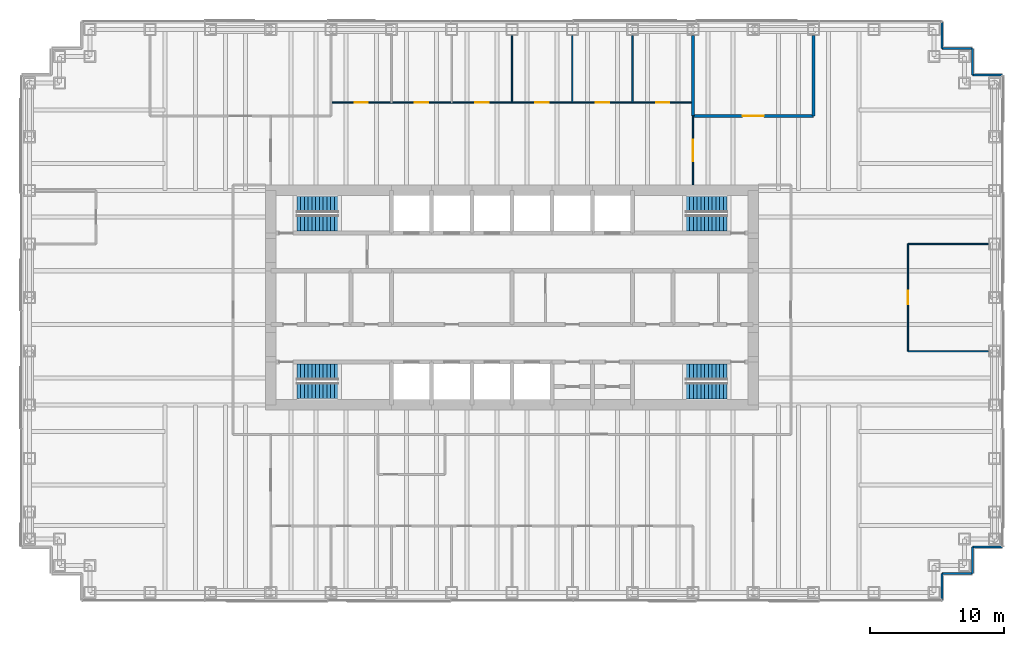
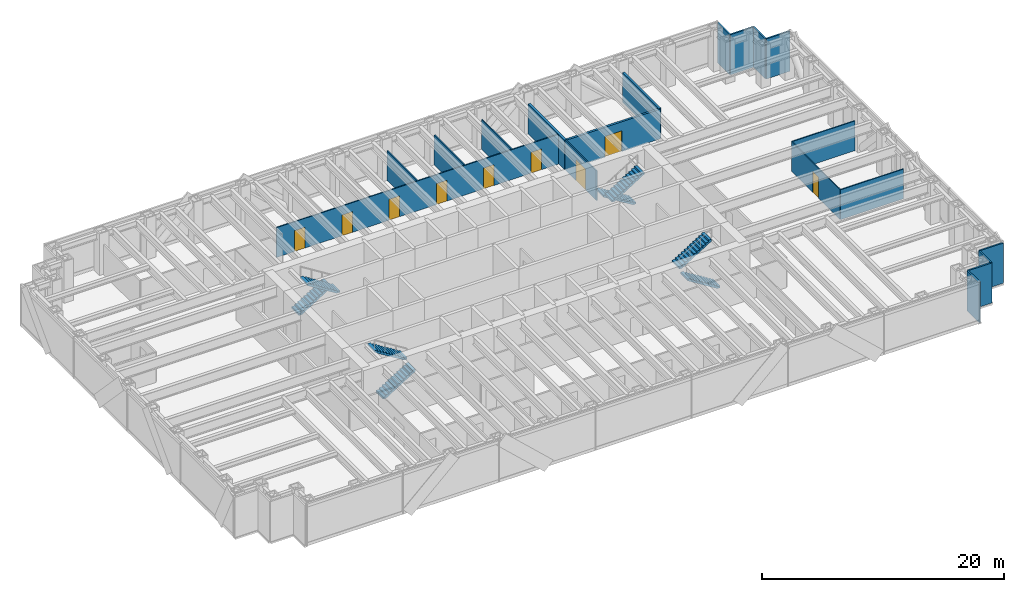
# One storey, part 13 of 14: 19 walls, 9 doors, 8 stair flights, 9 openings, 4 elements without a shape of their own.
"""IFC4 building model written with IfcOpenShell, lengths in metres."""

from ifc_helpers import new_model, si_unit, direction, frame, frame_2d, origin, place, context, subcontext, project, spatial, polyline, rectangle, outline, extrude, material, layer, layer_set, type_object, element, fill, aggregate, save


model = new_model("IFC4")

# Units and contexts
model_context = context("Model", 3, precision=1e-05, world=origin(), true_north=direction((0.0, 1.0)))
body_context = subcontext(model_context, "Body", "Model", "MODEL_VIEW")
ifc_project = project(units=[si_unit("LENGTHUNIT", "METRE"), si_unit("AREAUNIT", "SQUARE_METRE"), si_unit("VOLUMEUNIT", "CUBIC_METRE"), si_unit("PLANEANGLEUNIT", "RADIAN"), si_unit("MASSUNIT", "GRAM", prefix="KILO")], contexts=[model_context])

# Site, building, storey
site_placement = place(None, origin())
site = spatial("IfcSite", under=ifc_project, at=site_placement, CompositionType="ELEMENT")
building_placement = place(site_placement, origin())
building = spatial("IfcBuilding", under=site, at=building_placement, Name="Rheinbord Bourse Tower", CompositionType="ELEMENT")
storey_placement = place(building_placement, frame((0.0, 0.0, 194.199951171875)))
storey = spatial("IfcBuildingStorey", under=building, at=storey_placement, Name="L43", CompositionType="ELEMENT", Elevation=194.199951171875)

# Wall, opening, door
ifc_material_1 = material(Name="Acoustic gypsum board partition", Category="gypsum board")
ifc_layer_1 = layer(ifc_material_1, 0.199951171875)
ifc_layer_set_1 = layer_set([ifc_layer_1], Name="ACOUSTIC PARTITION 200")
wall_type_1 = type_object("IfcWallType", Name="ACOUSTIC PARTITION 200", PredefinedType="PARTITIONING", material=ifc_layer_set_1)
wall_1_placement = place(storey_placement, frame((49.5, 37.550048828125, 0.0), z_axis=(0.0, 0.0, 1.0), x_axis=(1.0, 0.0, 0.0)))
wall_1 = element("IfcWall", 1, at=wall_1_placement, inside=storey, type_object=wall_type_1, Name="Partition L43-13", PredefinedType="PARTITIONING", context=body_context, shape_type="SweptSolid", body=[
    extrude(rectangle(XDim=9.0, YDim=0.199951171875, at=frame_2d((4.5, 0.0))), origin(), (0.0, 0.0, 1.0), 3.0),
])
opening_1_placement = place(wall_1_placement, frame((3.699951171875, 0.0, 0.0)))
opening_1 = element("IfcOpeningElement", 2, at=opening_1_placement, cuts=wall_1, Name="Opening 43D11", PredefinedType="OPENING", context=body_context, shape_type="SweptSolid", body=[
    extrude(rectangle(XDim=1.60009765625, YDim=2.10009765625, at=frame_2d((0.800048828125, 1.050048828125))), frame((0.0, 0.10986328125, 0.0), z_axis=(0.0, -1.0, 0.0), x_axis=(1.0, 0.0, 0.0)), (0.0, 0.0, 1.0), 0.219970703125),
])
ifc_material_2 = material(Name="Timber door", Category="wood")
door_type_1 = type_object("IfcDoorType", Name="DOUBLE ROOM DOOR 1600", OperationType="DOUBLE_DOOR_DOUBLE_SWING", PredefinedType="DOOR", material=ifc_material_2)
door_1_placement = place(opening_1_placement, origin())
door_1 = element("IfcDoor", 3, at=door_1_placement, inside=storey, type_object=door_type_1, Name="Video conference room door L43", OperationType="SINGLE_SWING_LEFT", OverallHeight=2.10009765625, OverallWidth=1.60009765625, PredefinedType="DOOR", context=body_context, shape_type="SweptSolid", body=[
    extrude(rectangle(XDim=1.60009765625, YDim=2.10009765625, at=frame_2d((0.800048828125, 1.050048828125))), frame((0.0, 0.02490234375, 0.0), z_axis=(0.0, -1.0, 0.0), x_axis=(1.0, 0.0, 0.0)), (0.0, 0.0, 1.0), 0.050048828125),
])
fill(opening_1, door_1)

# Walls
for number, where, z_axis, x_axis, name in (
    (4, (49.5, 37.550048828125, 0.0), (0.0, 0.0, 1.0), (0.0, 1.0, 0.0), "Partition L43-37"),
    (5, (58.5, 37.550048828125, 0.0), (0.0, 0.0, 1.0), (0.0, 1.0, 0.0), "Partition L43-40"),
):
    element("IfcWall", number, at=place(storey_placement, frame(where, z_axis=z_axis, x_axis=x_axis)), inside=storey, type_object=wall_type_1, Name=name, PredefinedType="PARTITIONING", context=body_context, shape_type="SweptSolid", body=[
        extrude(rectangle(XDim=6.0, YDim=0.199951171875, at=frame_2d((3.0, 0.0))), origin(), (0.0, 0.0, 1.0), 3.0),
    ])
ifc_material_3 = material(Name="Black metal rainscreen panel", Category="aluminium")
ifc_layer_2 = layer(ifc_material_3, 0.14990234375)
ifc_layer_set_2 = layer_set([ifc_layer_2], Name="CORNER PIER CLADDING 150")
wall_type_2 = type_object("IfcWallType", Name="CORNER PIER CLADDING 150", PredefinedType="ELEMENTEDWALL", material=ifc_layer_set_2)
wall_2_placement = place(storey_placement, frame((68.10009765625, 1.39990234375, 0.0), z_axis=(0.0, 0.0, 1.0), x_axis=(0.0, 1.0, 0.0)))
element("IfcWall", 6, at=wall_2_placement, inside=storey, type_object=wall_type_2, Name="Corner pier cladding L43 2", PredefinedType="ELEMENTEDWALL", context=body_context, shape_type="SweptSolid", body=[
    extrude(rectangle(XDim=2.0, YDim=0.14990234375, at=frame_2d((1.0, 0.0))), origin(), (0.0, 0.0, 1.0), 4.0400390625),
])
wall_3_placement = place(storey_placement, frame((68.10009765625, 3.39990234375, 0.0), z_axis=(0.0, 0.0, 1.0), x_axis=(1.0, 0.0, 0.0)))
element("IfcWall", 7, at=wall_3_placement, inside=storey, type_object=wall_type_2, Name="Corner pier cladding L43 3", PredefinedType="ELEMENTEDWALL", context=body_context, shape_type="SweptSolid", body=[
    extrude(rectangle(XDim=2.25, YDim=0.14990234375, at=frame_2d((1.125, 0.0))), origin(), (0.0, 0.0, 1.0), 4.0400390625),
])
wall_4_placement = place(storey_placement, frame((70.35009765625, 3.39990234375, 0.0), z_axis=(0.0, 0.0, 1.0), x_axis=(0.0, 1.0, 0.0)))
element("IfcWall", 8, at=wall_4_placement, inside=storey, type_object=wall_type_2, Name="Corner pier cladding L43 4", PredefinedType="ELEMENTEDWALL", context=body_context, shape_type="SweptSolid", body=[
    extrude(rectangle(XDim=2.0, YDim=0.14990234375, at=frame_2d((1.0, 0.0))), origin(), (0.0, 0.0, 1.0), 4.0400390625),
])
for number, where, z_axis, x_axis, name in (
    (9, (70.35009765625, 5.39990234375, 0.0), (0.0, 0.0, 1.0), (1.0, 0.0, 0.0), "Corner pier cladding L43 5"),
    (10, (72.60009765625, 40.60009765625, 0.0), (0.0, 0.0, 1.0), (-1.0, 0.0, 0.0), "Corner pier cladding L43 7"),
):
    element("IfcWall", number, at=place(storey_placement, frame(where, z_axis=z_axis, x_axis=x_axis)), inside=storey, type_object=wall_type_2, Name=name, PredefinedType="ELEMENTEDWALL", context=body_context, shape_type="SweptSolid", body=[
        extrude(rectangle(XDim=2.25, YDim=0.14990234375, at=frame_2d((1.125, 0.0))), origin(), (0.0, 0.0, 1.0), 4.0400390625),
    ])
wall_5_placement = place(storey_placement, frame((70.35009765625, 40.60009765625, 0.0), z_axis=(0.0, 0.0, 1.0), x_axis=(0.0, 1.0, 0.0)))
element("IfcWall", 11, at=wall_5_placement, inside=storey, type_object=wall_type_2, Name="Corner pier cladding L43 8", PredefinedType="ELEMENTEDWALL", context=body_context, shape_type="SweptSolid", body=[
    extrude(rectangle(XDim=2.0, YDim=0.14990234375, at=frame_2d((1.0, 0.0))), origin(), (0.0, 0.0, 1.0), 4.0400390625),
])
wall_6_placement = place(storey_placement, frame((70.35009765625, 42.60009765625, 0.0), z_axis=(0.0, 0.0, 1.0), x_axis=(-1.0, 0.0, 0.0)))
element("IfcWall", 12, at=wall_6_placement, inside=storey, type_object=wall_type_2, Name="Corner pier cladding L43 9", PredefinedType="ELEMENTEDWALL", context=body_context, shape_type="SweptSolid", body=[
    extrude(rectangle(XDim=2.25, YDim=0.14990234375, at=frame_2d((1.125, 0.0))), origin(), (0.0, 0.0, 1.0), 4.0400390625),
])
wall_7_placement = place(storey_placement, frame((68.10009765625, 42.60009765625, 0.0), z_axis=(0.0, 0.0, 1.0), x_axis=(0.0, 1.0, 0.0)))
element("IfcWall", 13, at=wall_7_placement, inside=storey, type_object=wall_type_2, Name="Corner pier cladding L43 10", PredefinedType="ELEMENTEDWALL", context=body_context, shape_type="SweptSolid", body=[
    extrude(rectangle(XDim=2.0, YDim=0.14990234375, at=frame_2d((1.0, 0.0))), origin(), (0.0, 0.0, 1.0), 4.0400390625),
])
ifc_material_4 = material(Name="Toughened laminated glass partition", Category="glass")
ifc_layer_3 = layer(ifc_material_4, 0.10009765625)
ifc_layer_set_3 = layer_set([ifc_layer_3], Name="GLAZED PARTITION 100")
wall_type_3 = type_object("IfcWallType", Name="GLAZED PARTITION 100", PredefinedType="PARTITIONING", material=ifc_layer_set_3)
for number, where, z_axis, x_axis, name in (
    (14, (65.550048828125, 20.0, 0.0), (0.0, 0.0, 1.0), (1.0, 0.0, 0.0), "Partition L43-06"),
    (15, (65.550048828125, 28.0, 0.0), (0.0, 0.0, 1.0), (1.0, 0.0, 0.0), "Partition L43-08"),
):
    element("IfcWall", number, at=place(storey_placement, frame(where, z_axis=z_axis, x_axis=x_axis)), inside=storey, type_object=wall_type_3, Name=name, PredefinedType="PARTITIONING", context=body_context, shape_type="SweptSolid", body=[
        extrude(rectangle(XDim=6.0, YDim=0.10009765625, at=frame_2d((3.0, 0.0))), origin(), (0.0, 0.0, 1.0), 3.0),
    ])

# Wall, openings, doors
wall_8_placement = place(storey_placement, frame((22.5, 38.550048828125, 0.0), z_axis=(0.0, 0.0, 1.0), x_axis=(1.0, 0.0, 0.0)))
wall_8 = element("IfcWall", 16, at=wall_8_placement, inside=storey, type_object=wall_type_3, Name="Partition L43-14", PredefinedType="PARTITIONING", context=body_context, shape_type="SweptSolid", body=[
    extrude(rectangle(XDim=27.0, YDim=0.10009765625, at=frame_2d((13.5, 0.0))), origin(), (0.0, 0.0, 1.0), 3.0),
])
opening_2_placement = place(wall_8_placement, frame((1.75, 0.0, 0.0)))
opening_2 = element("IfcOpeningElement", 17, at=opening_2_placement, cuts=wall_8, Name="Opening 43D13", PredefinedType="OPENING", context=body_context, shape_type="SweptSolid", body=[
    extrude(rectangle(XDim=1.0, YDim=2.10009765625, at=frame_2d((0.5, 1.050048828125))), frame((0.0, 0.06005859375, 0.0), z_axis=(0.0, -1.0, 0.0), x_axis=(1.0, 0.0, 0.0)), (0.0, 0.0, 1.0), 0.1201171875),
])
opening_3_placement = place(wall_8_placement, frame((6.25, 0.0, 0.0)))
opening_3 = element("IfcOpeningElement", 18, at=opening_3_placement, cuts=wall_8, Name="Opening 43D14", PredefinedType="OPENING", context=body_context, shape_type="SweptSolid", body=[
    extrude(rectangle(XDim=1.0, YDim=2.10009765625, at=frame_2d((0.5, 1.050048828125))), frame((0.0, 0.06005859375, 0.0), z_axis=(0.0, -1.0, 0.0), x_axis=(1.0, 0.0, 0.0)), (0.0, 0.0, 1.0), 0.1201171875),
])
opening_4_placement = place(wall_8_placement, frame((10.75, 0.0, 0.0)))
opening_4 = element("IfcOpeningElement", 19, at=opening_4_placement, cuts=wall_8, Name="Opening 43D15", PredefinedType="OPENING", context=body_context, shape_type="SweptSolid", body=[
    extrude(rectangle(XDim=1.0, YDim=2.10009765625, at=frame_2d((0.5, 1.050048828125))), frame((0.0, 0.06005859375, 0.0), z_axis=(0.0, -1.0, 0.0), x_axis=(1.0, 0.0, 0.0)), (0.0, 0.0, 1.0), 0.1201171875),
])
opening_5_placement = place(wall_8_placement, frame((15.25, 0.0, 0.0)))
opening_5 = element("IfcOpeningElement", 20, at=opening_5_placement, cuts=wall_8, Name="Opening 43D16", PredefinedType="OPENING", context=body_context, shape_type="SweptSolid", body=[
    extrude(rectangle(XDim=1.0, YDim=2.10009765625, at=frame_2d((0.5, 1.050048828125))), frame((0.0, 0.06005859375, 0.0), z_axis=(0.0, -1.0, 0.0), x_axis=(1.0, 0.0, 0.0)), (0.0, 0.0, 1.0), 0.1201171875),
])
opening_6_placement = place(wall_8_placement, frame((19.75, 0.0, 0.0)))
opening_6 = element("IfcOpeningElement", 21, at=opening_6_placement, cuts=wall_8, Name="Opening 43D17", PredefinedType="OPENING", context=body_context, shape_type="SweptSolid", body=[
    extrude(rectangle(XDim=1.0, YDim=2.10009765625, at=frame_2d((0.5, 1.050048828125))), frame((0.0, 0.06005859375, 0.0), z_axis=(0.0, -1.0, 0.0), x_axis=(1.0, 0.0, 0.0)), (0.0, 0.0, 1.0), 0.1201171875),
])
opening_7_placement = place(wall_8_placement, frame((24.25, 0.0, 0.0)))
opening_7 = element("IfcOpeningElement", 22, at=opening_7_placement, cuts=wall_8, Name="Opening 43D18", PredefinedType="OPENING", context=body_context, shape_type="SweptSolid", body=[
    extrude(rectangle(XDim=1.0, YDim=2.10009765625, at=frame_2d((0.5, 1.050048828125))), frame((0.0, 0.06005859375, 0.0), z_axis=(0.0, -1.0, 0.0), x_axis=(1.0, 0.0, 0.0)), (0.0, 0.0, 1.0), 0.1201171875),
])
ifc_material_5 = material(Name="Timber door", Category="wood")
door_type_2 = type_object("IfcDoorType", Name="ROOM DOOR 1000", OperationType="SINGLE_SWING_LEFT", PredefinedType="DOOR", material=ifc_material_5)
door_2_placement = place(opening_2_placement, origin())
door_2 = element("IfcDoor", 23, at=door_2_placement, inside=storey, type_object=door_type_2, Name="Client meeting room door L43", OperationType="SINGLE_SWING_LEFT", OverallHeight=2.10009765625, OverallWidth=1.0, PredefinedType="DOOR", context=body_context, shape_type="SweptSolid", body=[
    extrude(rectangle(XDim=1.0, YDim=2.10009765625, at=frame_2d((0.5, 1.050048828125))), frame((0.0, 0.02490234375, 0.0), z_axis=(0.0, -1.0, 0.0), x_axis=(1.0, 0.0, 0.0)), (0.0, 0.0, 1.0), 0.050048828125),
])
fill(opening_2, door_2)
door_3_placement = place(opening_3_placement, origin())
door_3 = element("IfcDoor", 24, at=door_3_placement, inside=storey, type_object=door_type_2, Name="Client meeting room door L43", OperationType="SINGLE_SWING_LEFT", OverallHeight=2.10009765625, OverallWidth=1.0, PredefinedType="DOOR", context=body_context, shape_type="SweptSolid", body=[
    extrude(rectangle(XDim=1.0, YDim=2.10009765625, at=frame_2d((0.5, 1.050048828125))), frame((0.0, 0.02490234375, 0.0), z_axis=(0.0, -1.0, 0.0), x_axis=(1.0, 0.0, 0.0)), (0.0, 0.0, 1.0), 0.050048828125),
])
fill(opening_3, door_3)
door_4_placement = place(opening_4_placement, origin())
door_4 = element("IfcDoor", 25, at=door_4_placement, inside=storey, type_object=door_type_2, Name="Client meeting room door L43", OperationType="SINGLE_SWING_LEFT", OverallHeight=2.10009765625, OverallWidth=1.0, PredefinedType="DOOR", context=body_context, shape_type="SweptSolid", body=[
    extrude(rectangle(XDim=1.0, YDim=2.10009765625, at=frame_2d((0.5, 1.050048828125))), frame((0.0, 0.02490234375, 0.0), z_axis=(0.0, -1.0, 0.0), x_axis=(1.0, 0.0, 0.0)), (0.0, 0.0, 1.0), 0.050048828125),
])
fill(opening_4, door_4)
door_5_placement = place(opening_5_placement, origin())
door_5 = element("IfcDoor", 26, at=door_5_placement, inside=storey, type_object=door_type_2, Name="Client meeting room door L43", OperationType="SINGLE_SWING_RIGHT", OverallHeight=2.10009765625, OverallWidth=1.0, PredefinedType="DOOR", context=body_context, shape_type="SweptSolid", body=[
    extrude(rectangle(XDim=1.0, YDim=2.10009765625, at=frame_2d((0.5, 1.050048828125))), frame((0.0, 0.02490234375, 0.0), z_axis=(0.0, -1.0, 0.0), x_axis=(1.0, 0.0, 0.0)), (0.0, 0.0, 1.0), 0.050048828125),
])
fill(opening_5, door_5)
door_6_placement = place(opening_6_placement, origin())
door_6 = element("IfcDoor", 27, at=door_6_placement, inside=storey, type_object=door_type_2, Name="Client meeting room door L43", OperationType="SINGLE_SWING_RIGHT", OverallHeight=2.10009765625, OverallWidth=1.0, PredefinedType="DOOR", context=body_context, shape_type="SweptSolid", body=[
    extrude(rectangle(XDim=1.0, YDim=2.10009765625, at=frame_2d((0.5, 1.050048828125))), frame((0.0, 0.02490234375, 0.0), z_axis=(0.0, -1.0, 0.0), x_axis=(1.0, 0.0, 0.0)), (0.0, 0.0, 1.0), 0.050048828125),
])
fill(opening_6, door_6)
door_7_placement = place(opening_7_placement, origin())
door_7 = element("IfcDoor", 28, at=door_7_placement, inside=storey, type_object=door_type_2, Name="Client meeting room door L43", OperationType="SINGLE_SWING_RIGHT", OverallHeight=2.10009765625, OverallWidth=1.0, PredefinedType="DOOR", context=body_context, shape_type="SweptSolid", body=[
    extrude(rectangle(XDim=1.0, YDim=2.10009765625, at=frame_2d((0.5, 1.050048828125))), frame((0.0, 0.02490234375, 0.0), z_axis=(0.0, -1.0, 0.0), x_axis=(1.0, 0.0, 0.0)), (0.0, 0.0, 1.0), 0.050048828125),
])
fill(opening_7, door_7)

# Walls
for number, where, z_axis, x_axis, name in (
    (29, (36.0, 38.550048828125, 0.0), (0.0, 0.0, 1.0), (0.0, 1.0, 0.0), "Partition L43-30"),
    (30, (40.5, 38.550048828125, 0.0), (0.0, 0.0, 1.0), (0.0, 1.0, 0.0), "Partition L43-32"),
    (31, (45.0, 38.550048828125, 0.0), (0.0, 0.0, 1.0), (0.0, 1.0, 0.0), "Partition L43-34"),
):
    element("IfcWall", number, at=place(storey_placement, frame(where, z_axis=z_axis, x_axis=x_axis)), inside=storey, type_object=wall_type_3, Name=name, PredefinedType="PARTITIONING", context=body_context, shape_type="SweptSolid", body=[
        extrude(rectangle(XDim=5.0, YDim=0.10009765625, at=frame_2d((2.5, 0.0))), origin(), (0.0, 0.0, 1.0), 3.0),
    ])

# Wall, opening, door
wall_9_placement = place(storey_placement, frame((49.5, 32.39990234375, 0.0), z_axis=(0.0, 0.0, 1.0), x_axis=(0.0, 1.0, 0.0)))
wall_9 = element("IfcWall", 32, at=wall_9_placement, inside=storey, type_object=wall_type_3, Name="Partition L43-36", PredefinedType="PARTITIONING", context=body_context, shape_type="SweptSolid", body=[
    extrude(rectangle(XDim=5.150146484375, YDim=0.10009765625, at=frame_2d((2.5751953125, 0.0))), origin(), (0.0, 0.0, 1.0), 3.0),
])
opening_8_placement = place(wall_9_placement, frame((1.77490234375, 0.0, 0.0)))
opening_8 = element("IfcOpeningElement", 33, at=opening_8_placement, cuts=wall_9, Name="Opening 43D22", PredefinedType="OPENING", context=body_context, shape_type="SweptSolid", body=[
    extrude(rectangle(XDim=1.60009765625, YDim=2.10009765625, at=frame_2d((0.800048828125, 1.050048828125))), frame((0.0, 0.06005859375, 0.0), z_axis=(0.0, -1.0, 0.0), x_axis=(1.0, 0.0, 0.0)), (0.0, 0.0, 1.0), 0.1201171875),
])
door_8_placement = place(opening_8_placement, origin())
door_8 = element("IfcDoor", 34, at=door_8_placement, inside=storey, type_object=door_type_1, Name="Open area door L43", OperationType="SINGLE_SWING_LEFT", OverallHeight=2.10009765625, OverallWidth=1.60009765625, PredefinedType="DOOR", context=body_context, shape_type="SweptSolid", body=[
    extrude(rectangle(XDim=1.60009765625, YDim=2.10009765625, at=frame_2d((0.800048828125, 1.050048828125))), frame((0.0, 0.02490234375, 0.0), z_axis=(0.0, -1.0, 0.0), x_axis=(1.0, 0.0, 0.0)), (0.0, 0.0, 1.0), 0.050048828125),
])
fill(opening_8, door_8)

wall_10_placement = place(storey_placement, frame((65.550048828125, 20.0, 0.0), z_axis=(0.0, 0.0, 1.0), x_axis=(0.0, 1.0, 0.0)))
wall_10 = element("IfcWall", 35, at=wall_10_placement, inside=storey, type_object=wall_type_3, Name="Partition L43-41", PredefinedType="PARTITIONING", context=body_context, shape_type="SweptSolid", body=[
    extrude(rectangle(XDim=8.0, YDim=0.10009765625, at=frame_2d((4.0, 0.0))), origin(), (0.0, 0.0, 1.0), 3.0),
])
opening_9_placement = place(wall_10_placement, frame((3.5, 0.0, 0.0)))
opening_9 = element("IfcOpeningElement", 36, at=opening_9_placement, cuts=wall_10, Name="Opening 43D09", PredefinedType="OPENING", context=body_context, shape_type="SweptSolid", body=[
    extrude(rectangle(XDim=1.0, YDim=2.10009765625, at=frame_2d((0.5, 1.050048828125))), frame((0.0, 0.06005859375, 0.0), z_axis=(0.0, -1.0, 0.0), x_axis=(1.0, 0.0, 0.0)), (0.0, 0.0, 1.0), 0.1201171875),
])
door_9_placement = place(opening_9_placement, origin())
door_9 = element("IfcDoor", 37, at=door_9_placement, inside=storey, type_object=door_type_2, Name="Meeting room door L43", OperationType="SINGLE_SWING_LEFT", OverallHeight=2.10009765625, OverallWidth=1.0, PredefinedType="DOOR", context=body_context, shape_type="SweptSolid", body=[
    extrude(rectangle(XDim=1.0, YDim=2.10009765625, at=frame_2d((0.5, 1.050048828125))), frame((0.0, 0.02490234375, 0.0), z_axis=(0.0, -1.0, 0.0), x_axis=(1.0, 0.0, 0.0)), (0.0, 0.0, 1.0), 0.050048828125),
])
fill(opening_9, door_9)

# Stair, stair flights
ifc_material_6 = material(Name="Concrete C30/37", Category="concrete")
stair_type = type_object("IfcStairType", Name="CORE STAIR HALF TURN 4200", PredefinedType="HALF_TURN_STAIR", material=ifc_material_6)
stair_1_placement = place(storey_placement, origin())
stair_1 = element("IfcStair", 38, at=stair_1_placement, inside=storey, type_object=stair_type, Name="Stair ST1 L43, type CS6", PredefinedType="HALF_TURN_STAIR")
ifc_material_7 = material(Name="Concrete C30/37", Category="concrete")
stair_flight_type = type_object("IfcStairFlightType", Name="CORE STAIR FLIGHT 1200, 12 RISERS", PredefinedType="STRAIGHT", material=ifc_material_7)
stair_flight_1_placement = place(storey_placement, frame((19.949951171875, 17.050048828125, 0.0), z_axis=(0.0, 0.0, 1.0), x_axis=(1.0, 0.0, 0.0)))
stair_flight_1 = element("IfcStairFlight", 39, at=stair_flight_1_placement, type_object=stair_flight_type, Name="STAIR L43 ST1 F1", NumberOfRisers=12, NumberOfTreads=11, PredefinedType="STRAIGHT", RiserHeight=0.175, TreadLength=0.28, context=body_context, shape_type="SweptSolid", body=[
    extrude(outline(polyline([(0.0, 0.0), (0.0, 0.175048828125), (0.280029296875, 0.175048828125), (0.280029296875, 0.35009765625), (0.56005859375, 0.35009765625), (0.56005859375, 0.52490234375), (0.840087890625, 0.52490234375), (0.840087890625, 0.699951171875), (1.1201171875, 0.699951171875), (1.1201171875, 0.875), (1.39990234375, 0.875), (1.39990234375, 1.050048828125), (1.679931640625, 1.050048828125), (1.679931640625, 1.22509765625), (1.9599609375, 1.22509765625), (1.9599609375, 1.39990234375), (2.239990234375, 1.39990234375), (2.239990234375, 1.574951171875), (2.52001953125, 1.574951171875), (2.52001953125, 1.75), (2.800048828125, 1.75), (2.800048828125, 1.925048828125), (3.080078125, 1.925048828125), (3.080078125, 2.10009765625), (3.080078125, 1.748291015625), (0.28271484375, 0.0), (0.0, 0.0)])), frame((0.0, 0.60009765625, 0.0), z_axis=(0.0, -1.0, 0.0), x_axis=(1.0, 0.0, 0.0)), (0.0, 0.0, 1.0), 1.199951171875),
])
stair_flight_2_placement = place(storey_placement, frame((23.030029296875, 18.449951171875, 2.10009765625), z_axis=(0.0, 0.0, 1.0), x_axis=(-1.0, 0.0, 0.0)))
stair_flight_2 = element("IfcStairFlight", 40, at=stair_flight_2_placement, type_object=stair_flight_type, Name="STAIR L43 ST1 F2", NumberOfRisers=12, NumberOfTreads=11, PredefinedType="STRAIGHT", RiserHeight=0.175, TreadLength=0.28, context=body_context, shape_type="SweptSolid", body=[
    extrude(outline(polyline([(0.0, 0.0), (0.0, 0.175048828125), (0.280029296875, 0.175048828125), (0.280029296875, 0.35009765625), (0.56005859375, 0.35009765625), (0.56005859375, 0.52490234375), (0.840087890625, 0.52490234375), (0.840087890625, 0.699951171875), (1.1201171875, 0.699951171875), (1.1201171875, 0.875), (1.39990234375, 0.875), (1.39990234375, 1.050048828125), (1.679931640625, 1.050048828125), (1.679931640625, 1.22509765625), (1.9599609375, 1.22509765625), (1.9599609375, 1.39990234375), (2.239990234375, 1.39990234375), (2.239990234375, 1.574951171875), (2.52001953125, 1.574951171875), (2.52001953125, 1.75), (2.800048828125, 1.75), (2.800048828125, 1.925048828125), (3.080078125, 1.925048828125), (3.080078125, 2.10009765625), (3.080078125, 1.748291015625), (0.28271484375, 0.0), (0.0, 0.0)])), frame((0.0, 0.60009765625, 0.0), z_axis=(0.0, -1.0, 0.0), x_axis=(1.0, 0.0, 0.0)), (0.0, 0.0, 1.0), 1.199951171875),
])
aggregate(stair_1, [stair_flight_1, stair_flight_2])

stair_2_placement = place(storey_placement, origin())
stair_2 = element("IfcStair", 41, at=stair_2_placement, inside=storey, type_object=stair_type, Name="Stair ST2 L43, type CS6", PredefinedType="HALF_TURN_STAIR")
stair_flight_3_placement = place(storey_placement, frame((19.949951171875, 30.949951171875, 0.0), z_axis=(0.0, 0.0, 1.0), x_axis=(1.0, 0.0, 0.0)))
stair_flight_3 = element("IfcStairFlight", 42, at=stair_flight_3_placement, type_object=stair_flight_type, Name="STAIR L43 ST2 F1", NumberOfRisers=12, NumberOfTreads=11, PredefinedType="STRAIGHT", RiserHeight=0.175, TreadLength=0.28, context=body_context, shape_type="SweptSolid", body=[
    extrude(outline(polyline([(0.0, 0.0), (0.0, 0.175048828125), (0.280029296875, 0.175048828125), (0.280029296875, 0.35009765625), (0.56005859375, 0.35009765625), (0.56005859375, 0.52490234375), (0.840087890625, 0.52490234375), (0.840087890625, 0.699951171875), (1.1201171875, 0.699951171875), (1.1201171875, 0.875), (1.39990234375, 0.875), (1.39990234375, 1.050048828125), (1.679931640625, 1.050048828125), (1.679931640625, 1.22509765625), (1.9599609375, 1.22509765625), (1.9599609375, 1.39990234375), (2.239990234375, 1.39990234375), (2.239990234375, 1.574951171875), (2.52001953125, 1.574951171875), (2.52001953125, 1.75), (2.800048828125, 1.75), (2.800048828125, 1.925048828125), (3.080078125, 1.925048828125), (3.080078125, 2.10009765625), (3.080078125, 1.748291015625), (0.28271484375, 0.0), (0.0, 0.0)])), frame((0.0, 0.60009765625, 0.0), z_axis=(0.0, -1.0, 0.0), x_axis=(1.0, 0.0, 0.0)), (0.0, 0.0, 1.0), 1.199951171875),
])
stair_flight_4_placement = place(storey_placement, frame((23.030029296875, 29.550048828125, 2.10009765625), z_axis=(0.0, 0.0, 1.0), x_axis=(-1.0, 0.0, 0.0)))
stair_flight_4 = element("IfcStairFlight", 43, at=stair_flight_4_placement, type_object=stair_flight_type, Name="STAIR L43 ST2 F2", NumberOfRisers=12, NumberOfTreads=11, PredefinedType="STRAIGHT", RiserHeight=0.175, TreadLength=0.28, context=body_context, shape_type="SweptSolid", body=[
    extrude(outline(polyline([(0.0, 0.0), (0.0, 0.175048828125), (0.280029296875, 0.175048828125), (0.280029296875, 0.35009765625), (0.56005859375, 0.35009765625), (0.56005859375, 0.52490234375), (0.840087890625, 0.52490234375), (0.840087890625, 0.699951171875), (1.1201171875, 0.699951171875), (1.1201171875, 0.875), (1.39990234375, 0.875), (1.39990234375, 1.050048828125), (1.679931640625, 1.050048828125), (1.679931640625, 1.22509765625), (1.9599609375, 1.22509765625), (1.9599609375, 1.39990234375), (2.239990234375, 1.39990234375), (2.239990234375, 1.574951171875), (2.52001953125, 1.574951171875), (2.52001953125, 1.75), (2.800048828125, 1.75), (2.800048828125, 1.925048828125), (3.080078125, 1.925048828125), (3.080078125, 2.10009765625), (3.080078125, 1.748291015625), (0.28271484375, 0.0), (0.0, 0.0)])), frame((0.0, 0.60009765625, 0.0), z_axis=(0.0, -1.0, 0.0), x_axis=(1.0, 0.0, 0.0)), (0.0, 0.0, 1.0), 1.199951171875),
])
aggregate(stair_2, [stair_flight_3, stair_flight_4])

stair_3_placement = place(storey_placement, origin())
stair_3 = element("IfcStair", 44, at=stair_3_placement, inside=storey, type_object=stair_type, Name="Stair ST3 L43, type CS6", PredefinedType="HALF_TURN_STAIR")
stair_flight_5_placement = place(storey_placement, frame((52.050048828125, 17.050048828125, 0.0), z_axis=(0.0, 0.0, 1.0), x_axis=(-1.0, 0.0, 0.0)))
stair_flight_5 = element("IfcStairFlight", 45, at=stair_flight_5_placement, type_object=stair_flight_type, Name="STAIR L43 ST3 F1", NumberOfRisers=12, NumberOfTreads=11, PredefinedType="STRAIGHT", RiserHeight=0.175, TreadLength=0.28, context=body_context, shape_type="SweptSolid", body=[
    extrude(outline(polyline([(0.0, 0.0), (0.0, 0.175048828125), (0.280029296875, 0.175048828125), (0.280029296875, 0.35009765625), (0.56005859375, 0.35009765625), (0.56005859375, 0.52490234375), (0.840087890625, 0.52490234375), (0.840087890625, 0.699951171875), (1.1201171875, 0.699951171875), (1.1201171875, 0.875), (1.39990234375, 0.875), (1.39990234375, 1.050048828125), (1.679931640625, 1.050048828125), (1.679931640625, 1.22509765625), (1.9599609375, 1.22509765625), (1.9599609375, 1.39990234375), (2.239990234375, 1.39990234375), (2.239990234375, 1.574951171875), (2.52001953125, 1.574951171875), (2.52001953125, 1.75), (2.800048828125, 1.75), (2.800048828125, 1.925048828125), (3.080078125, 1.925048828125), (3.080078125, 2.10009765625), (3.080078125, 1.748291015625), (0.28271484375, 0.0), (0.0, 0.0)])), frame((0.0, 0.60009765625, 0.0), z_axis=(0.0, -1.0, 0.0), x_axis=(1.0, 0.0, 0.0)), (0.0, 0.0, 1.0), 1.199951171875),
])
stair_flight_6_placement = place(storey_placement, frame((48.969970703125, 18.449951171875, 2.10009765625), z_axis=(0.0, 0.0, 1.0), x_axis=(1.0, 0.0, 0.0)))
stair_flight_6 = element("IfcStairFlight", 46, at=stair_flight_6_placement, type_object=stair_flight_type, Name="STAIR L43 ST3 F2", NumberOfRisers=12, NumberOfTreads=11, PredefinedType="STRAIGHT", RiserHeight=0.175, TreadLength=0.28, context=body_context, shape_type="SweptSolid", body=[
    extrude(outline(polyline([(0.0, 0.0), (0.0, 0.175048828125), (0.280029296875, 0.175048828125), (0.280029296875, 0.35009765625), (0.56005859375, 0.35009765625), (0.56005859375, 0.52490234375), (0.840087890625, 0.52490234375), (0.840087890625, 0.699951171875), (1.1201171875, 0.699951171875), (1.1201171875, 0.875), (1.39990234375, 0.875), (1.39990234375, 1.050048828125), (1.679931640625, 1.050048828125), (1.679931640625, 1.22509765625), (1.9599609375, 1.22509765625), (1.9599609375, 1.39990234375), (2.239990234375, 1.39990234375), (2.239990234375, 1.574951171875), (2.52001953125, 1.574951171875), (2.52001953125, 1.75), (2.800048828125, 1.75), (2.800048828125, 1.925048828125), (3.080078125, 1.925048828125), (3.080078125, 2.10009765625), (3.080078125, 1.748291015625), (0.28271484375, 0.0), (0.0, 0.0)])), frame((0.0, 0.60009765625, 0.0), z_axis=(0.0, -1.0, 0.0), x_axis=(1.0, 0.0, 0.0)), (0.0, 0.0, 1.0), 1.199951171875),
])
aggregate(stair_3, [stair_flight_5, stair_flight_6])

stair_4_placement = place(storey_placement, origin())
stair_4 = element("IfcStair", 47, at=stair_4_placement, inside=storey, type_object=stair_type, Name="Stair ST4 L43, type CS6", PredefinedType="HALF_TURN_STAIR")
stair_flight_7_placement = place(storey_placement, frame((52.050048828125, 30.949951171875, 0.0), z_axis=(0.0, 0.0, 1.0), x_axis=(-1.0, 0.0, 0.0)))
stair_flight_7 = element("IfcStairFlight", 48, at=stair_flight_7_placement, type_object=stair_flight_type, Name="STAIR L43 ST4 F1", NumberOfRisers=12, NumberOfTreads=11, PredefinedType="STRAIGHT", RiserHeight=0.175, TreadLength=0.28, context=body_context, shape_type="SweptSolid", body=[
    extrude(outline(polyline([(0.0, 0.0), (0.0, 0.175048828125), (0.280029296875, 0.175048828125), (0.280029296875, 0.35009765625), (0.56005859375, 0.35009765625), (0.56005859375, 0.52490234375), (0.840087890625, 0.52490234375), (0.840087890625, 0.699951171875), (1.1201171875, 0.699951171875), (1.1201171875, 0.875), (1.39990234375, 0.875), (1.39990234375, 1.050048828125), (1.679931640625, 1.050048828125), (1.679931640625, 1.22509765625), (1.9599609375, 1.22509765625), (1.9599609375, 1.39990234375), (2.239990234375, 1.39990234375), (2.239990234375, 1.574951171875), (2.52001953125, 1.574951171875), (2.52001953125, 1.75), (2.800048828125, 1.75), (2.800048828125, 1.925048828125), (3.080078125, 1.925048828125), (3.080078125, 2.10009765625), (3.080078125, 1.748291015625), (0.28271484375, 0.0), (0.0, 0.0)])), frame((0.0, 0.60009765625, 0.0), z_axis=(0.0, -1.0, 0.0), x_axis=(1.0, 0.0, 0.0)), (0.0, 0.0, 1.0), 1.199951171875),
])
stair_flight_8_placement = place(storey_placement, frame((48.969970703125, 29.550048828125, 2.10009765625), z_axis=(0.0, 0.0, 1.0), x_axis=(1.0, 0.0, 0.0)))
stair_flight_8 = element("IfcStairFlight", 49, at=stair_flight_8_placement, type_object=stair_flight_type, Name="STAIR L43 ST4 F2", NumberOfRisers=12, NumberOfTreads=11, PredefinedType="STRAIGHT", RiserHeight=0.175, TreadLength=0.28, context=body_context, shape_type="SweptSolid", body=[
    extrude(outline(polyline([(0.0, 0.0), (0.0, 0.175048828125), (0.280029296875, 0.175048828125), (0.280029296875, 0.35009765625), (0.56005859375, 0.35009765625), (0.56005859375, 0.52490234375), (0.840087890625, 0.52490234375), (0.840087890625, 0.699951171875), (1.1201171875, 0.699951171875), (1.1201171875, 0.875), (1.39990234375, 0.875), (1.39990234375, 1.050048828125), (1.679931640625, 1.050048828125), (1.679931640625, 1.22509765625), (1.9599609375, 1.22509765625), (1.9599609375, 1.39990234375), (2.239990234375, 1.39990234375), (2.239990234375, 1.574951171875), (2.52001953125, 1.574951171875), (2.52001953125, 1.75), (2.800048828125, 1.75), (2.800048828125, 1.925048828125), (3.080078125, 1.925048828125), (3.080078125, 2.10009765625), (3.080078125, 1.748291015625), (0.28271484375, 0.0), (0.0, 0.0)])), frame((0.0, 0.60009765625, 0.0), z_axis=(0.0, -1.0, 0.0), x_axis=(1.0, 0.0, 0.0)), (0.0, 0.0, 1.0), 1.199951171875),
])
aggregate(stair_4, [stair_flight_7, stair_flight_8])

save(model, "model.ifc")
